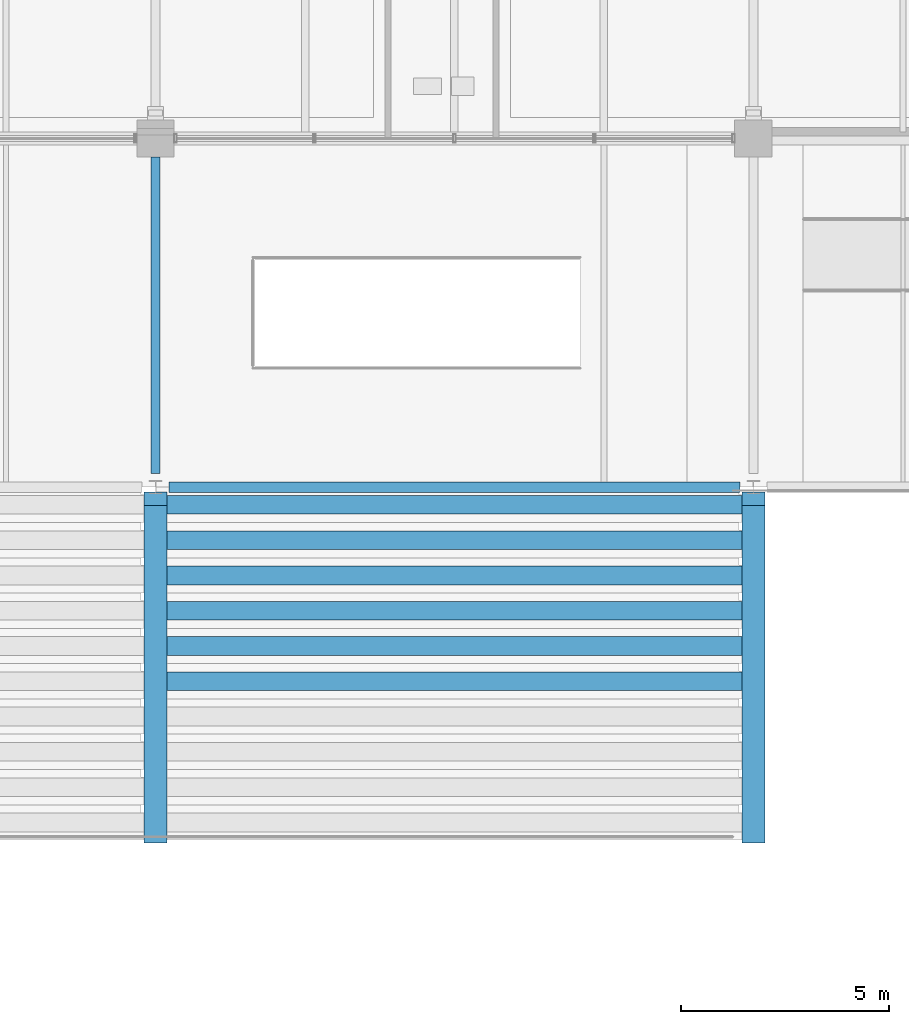
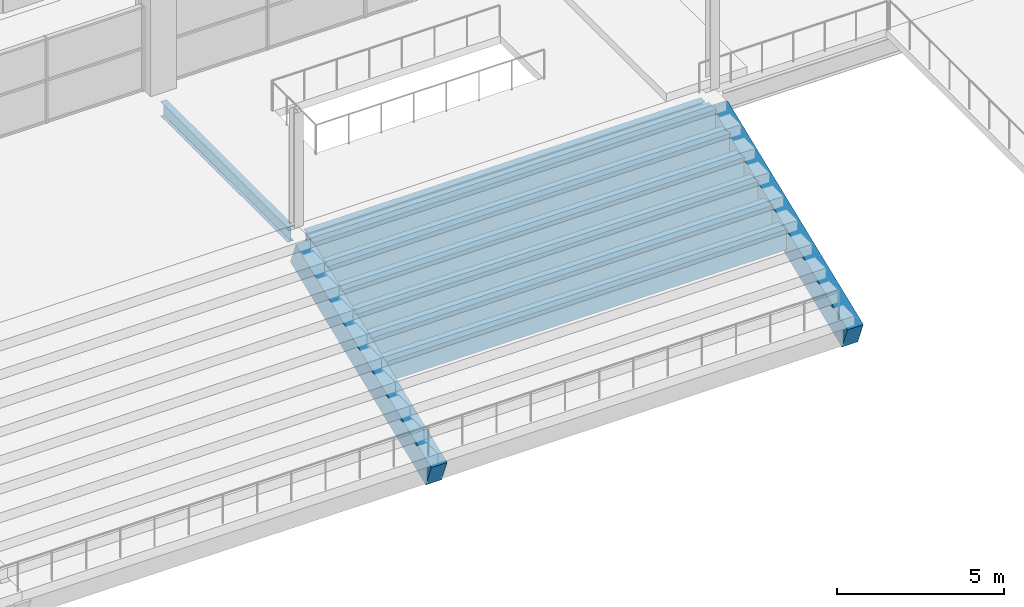
# One storey, part 70 of 161: 10 beams.
"""IFC4 building model written with IfcOpenShell, lengths in metres."""

import ifcopenshell
import ifcopenshell.guid

model = None  # the IFC model being written
_history = None  # IfcOwnerHistory: only IFC2X3 demands one
_inside = {}  # id of a spatial element -> (the spatial element, [elements in it])
_under = {}  # id of a project, library or spatial element -> (it, [spatial elements below it])
_declared = {}  # id of a project -> (the project, [libraries it declares])
_typed = {}  # id of a type object -> (the type object, [elements of that type])
_made_of = {}  # id of a material, layer set ... -> (it, [elements and type objects made of it])


def new_model(schema):
    """Start an empty IFC model of exactly this schema.

    Asked for "IFC4X3", IfcOpenShell would pick the latest addendum, in which some entities
    have other attributes; the version numbers below select the first issue.
    IFC2X3 requires an IfcOwnerHistory on every rooted entity: one is made here for all.
    """
    global model, _history
    if schema == "IFC4X3":
        model = ifcopenshell.file(schema_version=(4, 3, 0, 0))
    else:
        model = ifcopenshell.file(schema=schema)
    _inside.clear()
    _under.clear()
    _declared.clear()
    _typed.clear()
    _made_of.clear()
    _history = None
    if model.schema == "IFC2X3":
        org = make("IfcOrganization", Name="unknown")
        user = make(
            "IfcPersonAndOrganization",
            ThePerson=make("IfcPerson", FamilyName="unknown"),
            TheOrganization=org,
        )
        app = make(
            "IfcApplication",
            ApplicationDeveloper=org,
            Version="unknown",
            ApplicationFullName="unknown",
            ApplicationIdentifier="unknown",
        )
        _history = make(
            "IfcOwnerHistory",
            OwningUser=user,
            OwningApplication=app,
            ChangeAction="ADDED",
            CreationDate=0,
        )
    return model


def make(cls, **values):
    """One entity of the class cls with the attributes given. An attribute that is None is left unset."""
    return model.create_entity(
        cls, **{name: value for name, value in values.items() if value is not None}
    )


def rooted(cls, **values):
    """An entity with a GlobalId (a new one), such as an element, a storey or a relation."""
    return make(cls, GlobalId=ifcopenshell.guid.new(), OwnerHistory=_history, **values)


def si_unit(unit_type, name, prefix=None):
    """IfcSIUnit, for example si_unit("LENGTHUNIT", "METRE", prefix="MILLI")."""
    return make("IfcSIUnit", UnitType=unit_type, Prefix=prefix, Name=name)


def assignment(units):
    """IfcUnitAssignment: the units of a project."""
    return None if units is None else make("IfcUnitAssignment", Units=units)


def point(xyz):
    """IfcCartesianPoint."""
    return None if xyz is None else make("IfcCartesianPoint", Coordinates=xyz)


def direction(xyz):
    """IfcDirection."""
    return None if xyz is None else make("IfcDirection", DirectionRatios=xyz)


def frame(location, z_axis=None, x_axis=None):
    """IfcAxis2Placement3D, a coordinate frame: its origin and axes. An axis left out is left unset."""
    return make(
        "IfcAxis2Placement3D",
        Location=point(location),
        Axis=direction(z_axis),
        RefDirection=direction(x_axis),
    )


def frame_2d(location, x_axis=None):
    """IfcAxis2Placement2D, a coordinate frame in the plane: its origin and x axis."""
    return make(
        "IfcAxis2Placement2D", Location=point(location), RefDirection=direction(x_axis)
    )


def origin():
    """The frame at (0, 0, 0) with its axes left unset."""
    return frame((0.0, 0.0, 0.0))


def origin_2d():
    """The frame at (0, 0) in the plane with its x axis left unset."""
    return frame_2d((0.0, 0.0))


def place(relative_to, where):
    """IfcLocalPlacement: puts the frame where relative to a parent placement (None: the world)."""
    return make(
        "IfcLocalPlacement", PlacementRelTo=relative_to, RelativePlacement=where
    )


def context(
    kind, dimensions, precision=None, world=None, true_north=None, identifier=None
):
    """IfcGeometricRepresentationContext, for example the 3D "Model" context."""
    return make(
        "IfcGeometricRepresentationContext",
        ContextIdentifier=identifier,
        ContextType=kind,
        CoordinateSpaceDimension=dimensions,
        Precision=precision,
        WorldCoordinateSystem=world,
        TrueNorth=true_north,
    )


def subcontext(parent, identifier, kind, view, scale=None):
    """IfcGeometricRepresentationSubContext, for example "Body" below "Model"."""
    return make(
        "IfcGeometricRepresentationSubContext",
        ContextIdentifier=identifier,
        ContextType=kind,
        ParentContext=parent,
        TargetScale=scale,
        TargetView=view,
    )


def project(units=None, contexts=None):
    """IfcProject with its units and contexts."""
    return rooted(
        "IfcProject",
        Name="project",
        RepresentationContexts=contexts,
        UnitsInContext=assignment(units),
    )


def spatial(cls, under=None, at=None, **own):
    """A site, building, storey or space (cls), placed at a placement, below another one or the project."""
    s = rooted(cls, ObjectPlacement=at, **own)
    if under is not None:
        _under.setdefault(under.id(), (under, []))[1].append(s)
    return s


def profile(cls, at=None, kind="AREA", **sizes):
    """A parametric profile (cls). Its sizes go by their IFC names, for example OverallWidth=200.0."""
    return make(cls, ProfileType=kind, Position=at, **sizes)


def rectangle(**sizes):
    """IfcRectangleProfileDef."""
    return profile("IfcRectangleProfileDef", **sizes)


def i_section(**sizes):
    """IfcIShapeProfileDef."""
    return profile("IfcIShapeProfileDef", **sizes)


def extrude(swept, where, along, depth):
    """IfcExtrudedAreaSolid: the profile swept, set in the frame where, extruded along a direction by depth."""
    return make(
        "IfcExtrudedAreaSolid",
        SweptArea=swept,
        Position=where,
        ExtrudedDirection=direction(along),
        Depth=depth,
    )


def shape(context_of_items, identifier, shape_type, items):
    """IfcShapeRepresentation: the items that make up one representation, for example the "Body"."""
    return make(
        "IfcShapeRepresentation",
        ContextOfItems=context_of_items,
        RepresentationIdentifier=identifier,
        RepresentationType=shape_type,
        Items=items,
    )


def material(Name=None, Category=None):
    """IfcMaterial."""
    return make("IfcMaterial", Name=Name, Category=Category)


def material_profile(
    of_material, cross_section, Name=None, Category=None, Priority=None
):
    """IfcMaterialProfile: a cross section and its material."""
    return make(
        "IfcMaterialProfile",
        Name=Name,
        Material=of_material,
        Profile=cross_section,
        Priority=Priority,
        Category=Category,
    )


def profile_set(profiles, Name=None, composite=None):
    """IfcMaterialProfileSet."""
    return make(
        "IfcMaterialProfileSet",
        Name=Name,
        MaterialProfiles=profiles,
        CompositeProfile=composite,
    )


def made_of(thing, what):
    """Note that an element or type object is made of a material, layer set ...; save() writes the relation."""
    if what is not None:
        _made_of.setdefault(what.id(), (what, []))[1].append(thing)
    return thing


def type_object(cls, material=None, **own):
    """A type object (cls), such as IfcWallType, which elements share."""
    return made_of(rooted(cls, **own), material)


def element(
    cls,
    number,
    at=None,
    inside=None,
    cuts=None,
    type_object=None,
    material=None,
    context=None,
    identifier="Body",
    shape_type=None,
    held_by="IfcProductDefinitionShape",
    body=None,
    shapes=None,
    **own,
):
    """One element of the class cls, such as IfcWall. Its Tag is "e" and its number.

    at: its placement. inside: the storey or other place that contains it. cuts: it is an
    opening in that element (IfcRelVoidsElement). A single representation is given by context,
    identifier, shape_type and body (its items); several are given by shapes. held_by: the class
    of the entity that holds the representations. save() writes the other relations.
    """
    e = rooted(cls, Tag="e%d" % number, ObjectPlacement=at, **own)
    if body is not None:
        shapes = [shape(context, identifier, shape_type, body)]
    if shapes is not None:
        e.Representation = make(held_by, Representations=shapes)
    if inside is not None:
        _inside.setdefault(inside.id(), (inside, []))[1].append(e)
    if cuts is not None:
        rooted(
            "IfcRelVoidsElement", RelatingBuildingElement=cuts, RelatedOpeningElement=e
        )
    if type_object is not None:
        _typed.setdefault(type_object.id(), (type_object, []))[1].append(e)
    return made_of(e, material)


def aggregate(whole, parts):
    """IfcRelAggregates: a whole, such as a stair, and the parts it consists of."""
    return rooted("IfcRelAggregates", RelatingObject=whole, RelatedObjects=parts)


def save(model, path):
    """Write the relations noted so far, then the file.

    IfcRelAggregates (storeys below a building ...), IfcRelContainedInSpatialStructure (elements
    in a storey), IfcRelDefinesByType, IfcRelAssociatesMaterial and IfcRelDeclares: one each for
    every whole, place, type object, material and project.
    """
    for whole, parts in _under.values():
        aggregate(whole, parts)
    for where, things in _inside.values():
        rooted(
            "IfcRelContainedInSpatialStructure",
            RelatedElements=things,
            RelatingStructure=where,
        )
    for kind, things in _typed.values():
        rooted("IfcRelDefinesByType", RelatedObjects=things, RelatingType=kind)
    for what, things in _made_of.values():
        rooted("IfcRelAssociatesMaterial", RelatedObjects=things, RelatingMaterial=what)
    for by, libraries in _declared.values():
        rooted("IfcRelDeclares", RelatingContext=by, RelatedDefinitions=libraries)
    model.write(path)


model = new_model("IFC4")

# Units and contexts
model_context = context("Model", 3, precision=1e-05, world=origin(), true_north=direction((0.0, 1.0)))
body_context = subcontext(model_context, "Body", "Model", "MODEL_VIEW")
ifc_project = project(units=[si_unit("LENGTHUNIT", "METRE"), si_unit("AREAUNIT", "SQUARE_METRE"), si_unit("VOLUMEUNIT", "CUBIC_METRE"), si_unit("PLANEANGLEUNIT", "RADIAN"), si_unit("MASSUNIT", "GRAM", prefix="KILO"), si_unit("THERMODYNAMICTEMPERATUREUNIT", "KELVIN")], contexts=[model_context])

# Site, building, storey
site_placement = place(None, origin())
site = spatial("IfcSite", under=ifc_project, at=site_placement, CompositionType="ELEMENT")
building_placement = place(site_placement, origin())
building = spatial("IfcBuilding", under=site, at=building_placement, Name="Nduvali Passage Aquatics Centre", CompositionType="ELEMENT")
storey_placement = place(building_placement, frame((0.0, 0.0, 4.800048828125)))
storey = spatial("IfcBuildingStorey", under=building, at=storey_placement, Name="L01", CompositionType="ELEMENT", Elevation=4.800048828125)

# Beams
ifc_material_1 = material(Name="Concrete C40/50", Category="concrete")
ifc_material_profile_1 = material_profile(ifc_material_1, rectangle(XDim=0.449951171875, YDim=0.75, at=origin_2d()), Name="RC 450x750")
ifc_profile_set_1 = profile_set([ifc_material_profile_1], Name="Concrete C40/50")
beam_type_1 = type_object("IfcBeamType", Name="STR-BM-RC4575", PredefinedType="BEAM", material=ifc_profile_set_1)
for number, where, z_axis, x_axis, name in (
    (1, (97.43994140625, 79.324951171875, -2.53515625), (1.0, 0.0, 0.0), (0.0, 1.0, 0.0), "L01 North Stand Tier Bearer Row 05 B3-1593"),
    (2, (97.43994140625, 80.175048828125, -2.175048828125), (1.0, 0.0, 0.0), (0.0, 1.0, 0.0), "L01 North Stand Tier Bearer Row 06 B3-1598"),
    (3, (97.43994140625, 81.02490234375, -1.81494140625), (1.0, 0.0, 0.0), (0.0, 1.0, 0.0), "L01 North Stand Tier Bearer Row 07 B3-1603"),
    (4, (97.43994140625, 81.875, -1.455078125), (1.0, 0.0, 0.0), (0.0, 1.0, 0.0), "L01 North Stand Tier Bearer Row 08 B3-1608"),
    (5, (97.43994140625, 82.72509765625, -1.094970703125), (1.0, 0.0, 0.0), (0.0, 1.0, 0.0), "L01 North Stand Tier Bearer Row 09 B3-1613"),
    (6, (97.43994140625, 83.574951171875, -0.735107421875), (1.0, 0.0, 0.0), (0.0, 1.0, 0.0), "L01 North Stand Tier Bearer Row 10 B3-1618"),
):
    element("IfcBeam", number, at=place(storey_placement, frame(where, z_axis=z_axis, x_axis=x_axis)), inside=storey, type_object=beam_type_1, Name=name, PredefinedType="BEAM", context=body_context, shape_type="SweptSolid", body=[
        extrude(rectangle(XDim=0.449951171875, YDim=0.75, at=origin_2d()), origin(), (0.0, 0.0, 1.0), 13.920166015625),
    ])
ifc_material_2 = material(Name="Steel S355", Category="steel")
ifc_material_profile_2 = material_profile(ifc_material_2, i_section(OverallWidth=0.210693359375, OverallDepth=0.53955078125, WebThickness=0.01171875, FlangeThickness=0.018798828125, FilletRadius=0.0126953125, at=origin_2d()), Name="UKB 533x210x109")
ifc_profile_set_2 = profile_set([ifc_material_profile_2], Name="Steel S355")
beam_type_2 = type_object("IfcBeamType", Name="STR-BM-UKB533", PredefinedType="BEAM", material=ifc_profile_set_2)
beam_1_placement = place(storey_placement, frame((97.199951171875, 84.324951171875, -0.553955078125), z_axis=(0.0, 1.0, 0.0), x_axis=(-1.0, 0.0, 0.0)))
element("IfcBeam", 7, at=beam_1_placement, inside=storey, type_object=beam_type_2, Name="L01 Primary Y-Girder B6-0610", PredefinedType="BEAM", context=body_context, shape_type="SweptSolid", body=[
    extrude(i_section(OverallWidth=0.210693359375, OverallDepth=0.53955078125, WebThickness=0.01171875, FlangeThickness=0.018798828125, FilletRadius=0.0126953125, at=origin_2d()), origin(), (0.0, 0.0, 1.0), 7.625),
])
ifc_material_profile_3 = material_profile(ifc_material_2, i_section(OverallWidth=0.253662109375, OverallDepth=0.68359375, WebThickness=0.012451171875, FlangeThickness=0.01904296875, FilletRadius=0.01513671875, at=origin_2d()), Name="UKB 686x254x140")
ifc_profile_set_3 = profile_set([ifc_material_profile_3], Name="Steel S355")
beam_type_3 = type_object("IfcBeamType", Name="STR-BM-UKB686", PredefinedType="BEAM", material=ifc_profile_set_3)
beam_2_placement = place(storey_placement, frame((97.52490234375, 84.0, -0.705810546875), z_axis=(1.0, 0.0, 0.0), x_axis=(0.0, 1.0, 0.0)))
element("IfcBeam", 8, at=beam_2_placement, inside=storey, type_object=beam_type_3, Name="L01 Primary X-Girder B4-0516", PredefinedType="BEAM", context=body_context, shape_type="SweptSolid", body=[
    extrude(i_section(OverallWidth=0.253662109375, OverallDepth=0.68359375, WebThickness=0.012451171875, FlangeThickness=0.01904296875, FilletRadius=0.01513671875, at=origin_2d()), origin(), (0.0, 0.0, 1.0), 13.75),
])
ifc_material_profile_4 = material_profile(ifc_material_1, rectangle(XDim=0.550048828125, YDim=0.89990234375, at=origin_2d()), Name="RC 550x900")
ifc_profile_set_4 = profile_set([ifc_material_profile_4], Name="Concrete C40/50")
beam_type_4 = type_object("IfcBeamType", Name="STR-RAK-RC5085", PredefinedType="USERDEFINED", material=ifc_profile_set_4)
for number, where, z_axis, x_axis, name in (
    (9, (97.199951171875, 83.719970703125, -0.78515625), (0.0, -0.928790285766, -0.370605727244), (1.0, 0.0, 0.0), "L01 North Stand Raker Beam RK1-1567"),
    (10, (111.60009765625, 83.719970703125, -0.78515625), (0.0, -0.928790285766, -0.370605727244), (1.0, 0.0, 0.0), "L01 North Stand Raker Beam RK1-1568"),
):
    element("IfcBeam", number, at=place(storey_placement, frame(where, z_axis=z_axis, x_axis=x_axis)), inside=storey, type_object=beam_type_4, Name=name, ObjectType="RAKER", PredefinedType="USERDEFINED", context=body_context, shape_type="SweptSolid", body=[
        extrude(rectangle(XDim=0.550048828125, YDim=0.89990234375, at=origin_2d()), origin(), (0.0, 0.0, 1.0), 8.742431640625),
    ])

save(model, "model.ifc")
